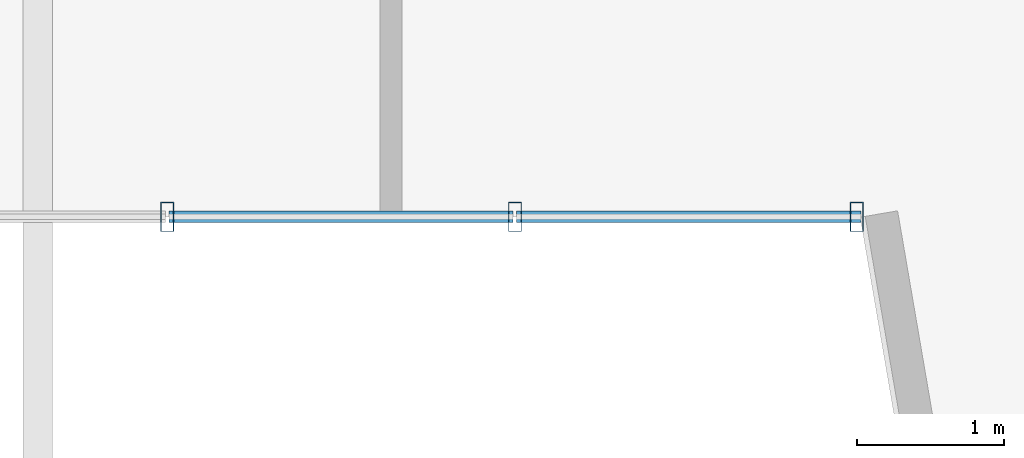
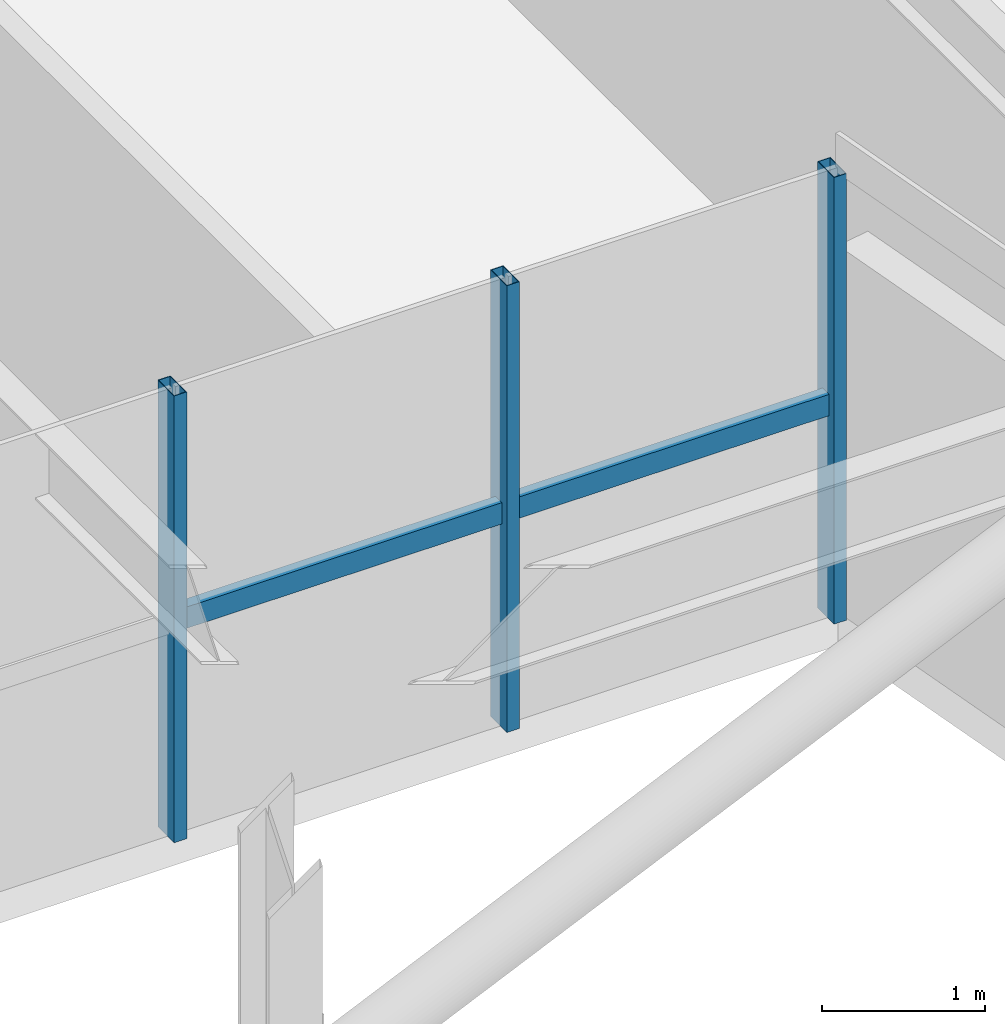
# One storey, part 5 of 24: 5 members, 1 element without a shape of its own.
"""IFC4 building model written with IfcOpenShell, lengths in metres."""

from ifc_helpers import new_model, si_unit, direction, frame, origin, origin_2d, place, context, subcontext, project, spatial, hollow_rectangle, extrude, source, transform, mapped, material, material_profile, profile_set, type_object, element, aggregate, save


model = new_model("IFC4")

# Units and contexts
model_context = context("Model", 3, precision=1e-05, world=origin(), true_north=direction((0.0, 1.0)))
body_context = subcontext(model_context, "Body", "Model", "MODEL_VIEW")
ifc_project = project(units=[si_unit("LENGTHUNIT", "METRE"), si_unit("AREAUNIT", "SQUARE_METRE"), si_unit("VOLUMEUNIT", "CUBIC_METRE"), si_unit("PLANEANGLEUNIT", "RADIAN"), si_unit("MASSUNIT", "GRAM", prefix="KILO")], contexts=[model_context])

# Site, building, storey
site_placement = place(None, origin())
site = spatial("IfcSite", under=ifc_project, at=site_placement, CompositionType="ELEMENT")
building_placement = place(site_placement, origin())
building = spatial("IfcBuilding", under=site, at=building_placement, Name="Trelvane Seafront Commons", CompositionType="ELEMENT")
storey_placement = place(building_placement, frame((0.0, 0.0, 175.300048828125)))
storey = spatial("IfcBuildingStorey", under=building, at=storey_placement, Name="L46", CompositionType="ELEMENT", Elevation=175.300048828125)

# Curtain wall, members
ifc_material = material(Name="Anodised pale-silver aluminium", Category="aluminium")
curtain_wall_type = type_object("IfcCurtainWallType", Name="ARCH-CW3-PORTAL", PredefinedType="NOTDEFINED", material=ifc_material)
curtain_wall_placement = place(storey_placement, origin())
curtain_wall = element("IfcCurtainWall", 1, at=curtain_wall_placement, inside=storey, type_object=curtain_wall_type, Name="CW-L46-VN-0074", PredefinedType="NOTDEFINED")
ifc_material_profile_1 = material_profile(ifc_material, hollow_rectangle(XDim=0.080078125, YDim=0.159912109375, WallThickness=0.00439453125, at=origin_2d()), Name="TRAN-80x160x4.5")
ifc_profile_set_1 = profile_set([ifc_material_profile_1], Name="Anodised pale-silver aluminium")
member_type_1 = type_object("IfcMemberType", Name="ARCH-CW-TRAN-160", PredefinedType="USERDEFINED", material=ifc_profile_set_1)
shared_shape_1 = source(origin(), body_context, "Body", "SweptSolid", [
    extrude(hollow_rectangle(XDim=0.080078125, YDim=0.159912109375, WallThickness=0.00439453125, at=origin_2d()), origin(), (0.0, 0.0, 1.0), 2.3359375),
])
member_1_placement = place(storey_placement, frame((28.988037109375, 6.800048828125, 1.60791015625), z_axis=(-1.0, 0.0, 0.0), x_axis=(0.0, -1.0, 0.0)))
member_1 = element("IfcMember", 2, at=member_1_placement, type_object=member_type_1, Name="CW-L46-VN-0074-T00", ObjectType="TRANSOM", PredefinedType="USERDEFINED", context=body_context, shape_type="MappedRepresentation", body=[
    mapped(shared_shape_1, transform((0.0, 0.0, 0.0), x_axis=(1.0, 0.0, 0.0), y_axis=(0.0, 1.0, 0.0), z_axis=(0.0, 0.0, 1.0), scale=1.0)),
])
member_2_placement = place(storey_placement, frame((26.6279296875, 6.800048828125, 1.60791015625), z_axis=(-1.0, 0.0, 0.0), x_axis=(0.0, -1.0, 0.0)))
member_2 = element("IfcMember", 3, at=member_2_placement, type_object=member_type_1, Name="CW-L46-VN-0074-T01", ObjectType="TRANSOM", PredefinedType="USERDEFINED", context=body_context, shape_type="MappedRepresentation", body=[
    mapped(shared_shape_1, transform((0.0, 0.0, 0.0), x_axis=(1.0, 0.0, 0.0), y_axis=(0.0, 1.0, 0.0), z_axis=(0.0, 0.0, 1.0), scale=1.0)),
])
ifc_material_profile_2 = material_profile(ifc_material, hollow_rectangle(XDim=0.090087890625, YDim=0.199951171875, WallThickness=0.0048828125, at=origin_2d()), Name="MULL-90x200x5")
ifc_profile_set_2 = profile_set([ifc_material_profile_2], Name="Anodised pale-silver aluminium")
member_type_2 = type_object("IfcMemberType", Name="ARCH-CW-MULL-200", PredefinedType="MULLION", material=ifc_profile_set_2)
shared_shape_2 = source(origin(), body_context, "Body", "SweptSolid", [
    extrude(hollow_rectangle(XDim=0.090087890625, YDim=0.199951171875, WallThickness=0.0048828125, at=origin_2d()), origin(), (0.0, 0.0, 1.0), 3.349853515625),
])
member_3_placement = place(storey_placement, frame((28.9599609375, 6.800048828125, 0.0), z_axis=(0.0, 0.0, 1.0), x_axis=(1.0, 0.0, 0.0)))
member_3 = element("IfcMember", 4, at=member_3_placement, type_object=member_type_2, Name="CW-L46-VN-0074-M00", PredefinedType="MULLION", context=body_context, shape_type="MappedRepresentation", body=[
    mapped(shared_shape_2, transform((0.0, 0.0, 0.0), x_axis=(1.0, 0.0, 0.0), y_axis=(0.0, 1.0, 0.0), z_axis=(0.0, 0.0, 1.0), scale=1.0)),
])
member_4_placement = place(storey_placement, frame((26.639892578125, 6.800048828125, 0.0), z_axis=(0.0, 0.0, 1.0), x_axis=(1.0, 0.0, 0.0)))
member_4 = element("IfcMember", 5, at=member_4_placement, type_object=member_type_2, Name="CW-L46-VN-0074-M01", PredefinedType="MULLION", context=body_context, shape_type="MappedRepresentation", body=[
    mapped(shared_shape_2, transform((0.0, 0.0, 0.0), x_axis=(1.0, 0.0, 0.0), y_axis=(0.0, 1.0, 0.0), z_axis=(0.0, 0.0, 1.0), scale=1.0)),
])
member_5_placement = place(storey_placement, frame((24.280029296875, 6.800048828125, 0.0), z_axis=(0.0, 0.0, 1.0), x_axis=(1.0, 0.0, 0.0)))
member_5 = element("IfcMember", 6, at=member_5_placement, type_object=member_type_2, Name="CW-L46-VN-0074-M02", PredefinedType="MULLION", context=body_context, shape_type="MappedRepresentation", body=[
    mapped(shared_shape_2, transform((0.0, 0.0, 0.0), x_axis=(1.0, 0.0, 0.0), y_axis=(0.0, 1.0, 0.0), z_axis=(0.0, 0.0, 1.0), scale=1.0)),
])
aggregate(curtain_wall, [member_3, member_4, member_5, member_1, member_2])

save(model, "model.ifc")
